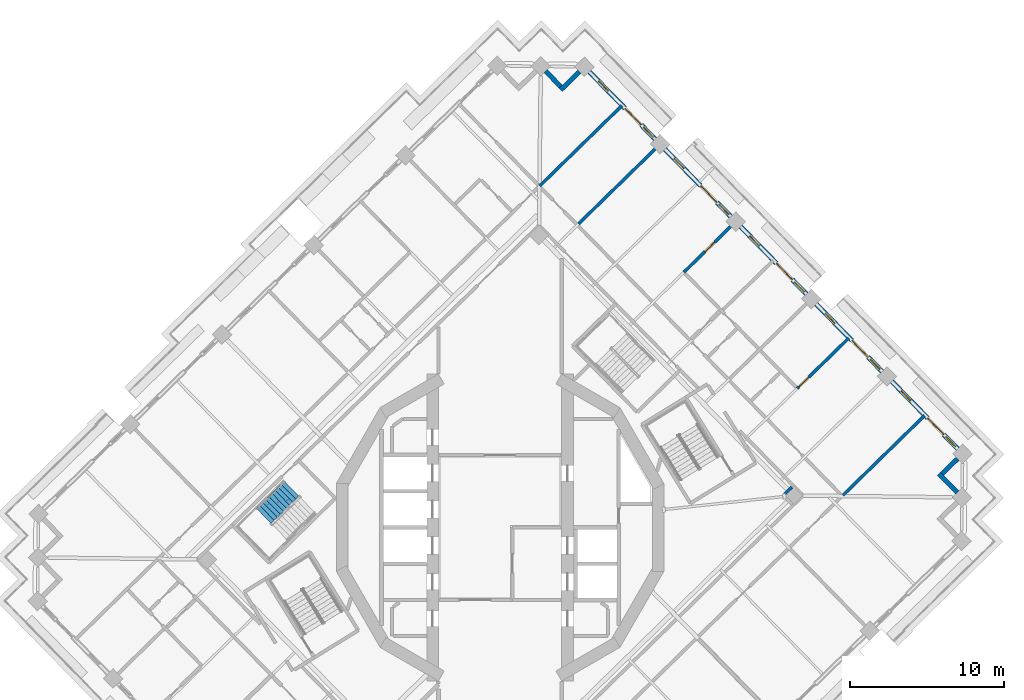
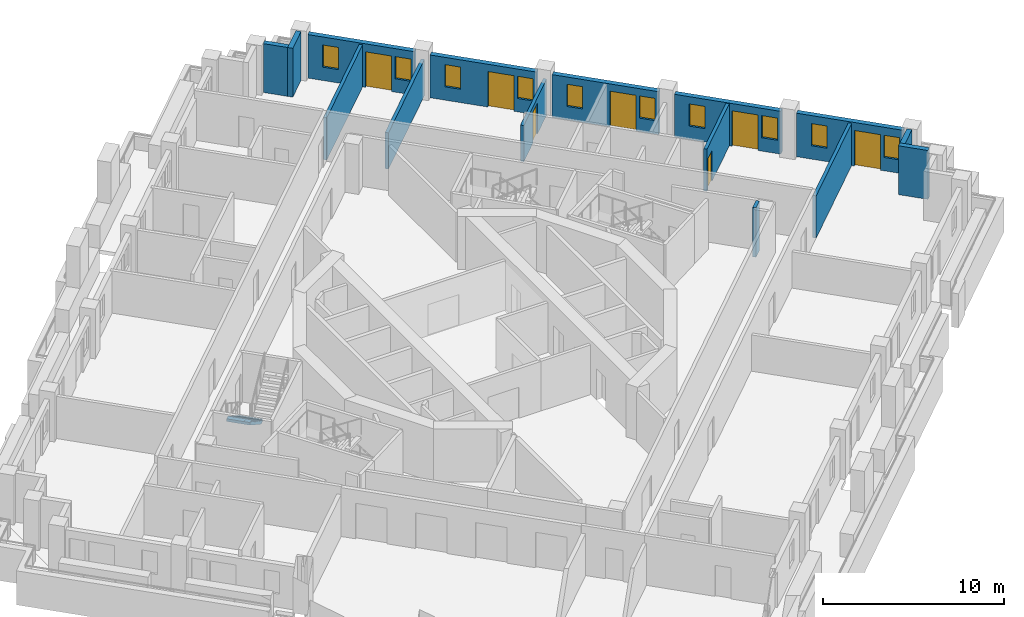
# One storey, part 10 of 17: 15 walls, 10 windows, 7 doors, 1 stair flight, 17 openings, 1 element without a shape of its own.
"""IFC4 building model written with IfcOpenShell, lengths in metres."""

import ifcopenshell
import ifcopenshell.guid

model = None  # the IFC model being written
_history = None  # IfcOwnerHistory: only IFC2X3 demands one
_inside = {}  # id of a spatial element -> (the spatial element, [elements in it])
_under = {}  # id of a project, library or spatial element -> (it, [spatial elements below it])
_declared = {}  # id of a project -> (the project, [libraries it declares])
_typed = {}  # id of a type object -> (the type object, [elements of that type])
_made_of = {}  # id of a material, layer set ... -> (it, [elements and type objects made of it])


def new_model(schema):
    """Start an empty IFC model of exactly this schema.

    Asked for "IFC4X3", IfcOpenShell would pick the latest addendum, in which some entities
    have other attributes; the version numbers below select the first issue.
    IFC2X3 requires an IfcOwnerHistory on every rooted entity: one is made here for all.
    """
    global model, _history
    if schema == "IFC4X3":
        model = ifcopenshell.file(schema_version=(4, 3, 0, 0))
    else:
        model = ifcopenshell.file(schema=schema)
    _inside.clear()
    _under.clear()
    _declared.clear()
    _typed.clear()
    _made_of.clear()
    _history = None
    if model.schema == "IFC2X3":
        org = make("IfcOrganization", Name="unknown")
        user = make(
            "IfcPersonAndOrganization",
            ThePerson=make("IfcPerson", FamilyName="unknown"),
            TheOrganization=org,
        )
        app = make(
            "IfcApplication",
            ApplicationDeveloper=org,
            Version="unknown",
            ApplicationFullName="unknown",
            ApplicationIdentifier="unknown",
        )
        _history = make(
            "IfcOwnerHistory",
            OwningUser=user,
            OwningApplication=app,
            ChangeAction="ADDED",
            CreationDate=0,
        )
    return model


def make(cls, **values):
    """One entity of the class cls with the attributes given. An attribute that is None is left unset."""
    return model.create_entity(
        cls, **{name: value for name, value in values.items() if value is not None}
    )


def rooted(cls, **values):
    """An entity with a GlobalId (a new one), such as an element, a storey or a relation."""
    return make(cls, GlobalId=ifcopenshell.guid.new(), OwnerHistory=_history, **values)


def si_unit(unit_type, name, prefix=None):
    """IfcSIUnit, for example si_unit("LENGTHUNIT", "METRE", prefix="MILLI")."""
    return make("IfcSIUnit", UnitType=unit_type, Prefix=prefix, Name=name)


def assignment(units):
    """IfcUnitAssignment: the units of a project."""
    return None if units is None else make("IfcUnitAssignment", Units=units)


def point(xyz):
    """IfcCartesianPoint."""
    return None if xyz is None else make("IfcCartesianPoint", Coordinates=xyz)


def direction(xyz):
    """IfcDirection."""
    return None if xyz is None else make("IfcDirection", DirectionRatios=xyz)


def frame(location, z_axis=None, x_axis=None):
    """IfcAxis2Placement3D, a coordinate frame: its origin and axes. An axis left out is left unset."""
    return make(
        "IfcAxis2Placement3D",
        Location=point(location),
        Axis=direction(z_axis),
        RefDirection=direction(x_axis),
    )


def frame_2d(location, x_axis=None):
    """IfcAxis2Placement2D, a coordinate frame in the plane: its origin and x axis."""
    return make(
        "IfcAxis2Placement2D", Location=point(location), RefDirection=direction(x_axis)
    )


def origin():
    """The frame at (0, 0, 0) with its axes left unset."""
    return frame((0.0, 0.0, 0.0))


def place(relative_to, where):
    """IfcLocalPlacement: puts the frame where relative to a parent placement (None: the world)."""
    return make(
        "IfcLocalPlacement", PlacementRelTo=relative_to, RelativePlacement=where
    )


def context(
    kind, dimensions, precision=None, world=None, true_north=None, identifier=None
):
    """IfcGeometricRepresentationContext, for example the 3D "Model" context."""
    return make(
        "IfcGeometricRepresentationContext",
        ContextIdentifier=identifier,
        ContextType=kind,
        CoordinateSpaceDimension=dimensions,
        Precision=precision,
        WorldCoordinateSystem=world,
        TrueNorth=true_north,
    )


def subcontext(parent, identifier, kind, view, scale=None):
    """IfcGeometricRepresentationSubContext, for example "Body" below "Model"."""
    return make(
        "IfcGeometricRepresentationSubContext",
        ContextIdentifier=identifier,
        ContextType=kind,
        ParentContext=parent,
        TargetScale=scale,
        TargetView=view,
    )


def project(units=None, contexts=None):
    """IfcProject with its units and contexts."""
    return rooted(
        "IfcProject",
        Name="project",
        RepresentationContexts=contexts,
        UnitsInContext=assignment(units),
    )


def spatial(cls, under=None, at=None, **own):
    """A site, building, storey or space (cls), placed at a placement, below another one or the project."""
    s = rooted(cls, ObjectPlacement=at, **own)
    if under is not None:
        _under.setdefault(under.id(), (under, []))[1].append(s)
    return s


def polyline(points):
    """IfcPolyline through the points."""
    return make("IfcPolyline", Points=[point(p) for p in points])


def profile(cls, at=None, kind="AREA", **sizes):
    """A parametric profile (cls). Its sizes go by their IFC names, for example OverallWidth=200.0."""
    return make(cls, ProfileType=kind, Position=at, **sizes)


def rectangle(**sizes):
    """IfcRectangleProfileDef."""
    return profile("IfcRectangleProfileDef", **sizes)


def outline(outer, holes=None, kind="AREA"):
    """IfcArbitraryClosedProfileDef: a profile drawn as a closed curve; with holes, ...WithVoids."""
    if holes is None:
        return make("IfcArbitraryClosedProfileDef", ProfileType=kind, OuterCurve=outer)
    return make(
        "IfcArbitraryProfileDefWithVoids",
        ProfileType=kind,
        OuterCurve=outer,
        InnerCurves=holes,
    )


def extrude(swept, where, along, depth):
    """IfcExtrudedAreaSolid: the profile swept, set in the frame where, extruded along a direction by depth."""
    return make(
        "IfcExtrudedAreaSolid",
        SweptArea=swept,
        Position=where,
        ExtrudedDirection=direction(along),
        Depth=depth,
    )


def shape(context_of_items, identifier, shape_type, items):
    """IfcShapeRepresentation: the items that make up one representation, for example the "Body"."""
    return make(
        "IfcShapeRepresentation",
        ContextOfItems=context_of_items,
        RepresentationIdentifier=identifier,
        RepresentationType=shape_type,
        Items=items,
    )


def material(Name=None, Category=None):
    """IfcMaterial."""
    return make("IfcMaterial", Name=Name, Category=Category)


def layer(
    of_material, thickness, ventilated=None, Name=None, Category=None, Priority=None
):
    """IfcMaterialLayer: one layer of a wall or slab, of a material (None: an air gap)."""
    return make(
        "IfcMaterialLayer",
        Material=of_material,
        LayerThickness=thickness,
        IsVentilated=ventilated,
        Name=Name,
        Category=Category,
        Priority=Priority,
    )


def layer_set(layers, Name=None):
    """IfcMaterialLayerSet."""
    return make("IfcMaterialLayerSet", MaterialLayers=layers, LayerSetName=Name)


def made_of(thing, what):
    """Note that an element or type object is made of a material, layer set ...; save() writes the relation."""
    if what is not None:
        _made_of.setdefault(what.id(), (what, []))[1].append(thing)
    return thing


def type_object(cls, material=None, **own):
    """A type object (cls), such as IfcWallType, which elements share."""
    return made_of(rooted(cls, **own), material)


def element(
    cls,
    number,
    at=None,
    inside=None,
    cuts=None,
    type_object=None,
    material=None,
    context=None,
    identifier="Body",
    shape_type=None,
    held_by="IfcProductDefinitionShape",
    body=None,
    shapes=None,
    **own,
):
    """One element of the class cls, such as IfcWall. Its Tag is "e" and its number.

    at: its placement. inside: the storey or other place that contains it. cuts: it is an
    opening in that element (IfcRelVoidsElement). A single representation is given by context,
    identifier, shape_type and body (its items); several are given by shapes. held_by: the class
    of the entity that holds the representations. save() writes the other relations.
    """
    e = rooted(cls, Tag="e%d" % number, ObjectPlacement=at, **own)
    if body is not None:
        shapes = [shape(context, identifier, shape_type, body)]
    if shapes is not None:
        e.Representation = make(held_by, Representations=shapes)
    if inside is not None:
        _inside.setdefault(inside.id(), (inside, []))[1].append(e)
    if cuts is not None:
        rooted(
            "IfcRelVoidsElement", RelatingBuildingElement=cuts, RelatedOpeningElement=e
        )
    if type_object is not None:
        _typed.setdefault(type_object.id(), (type_object, []))[1].append(e)
    return made_of(e, material)


def fill(opening, filler):
    """IfcRelFillsElement: the door or window that sits in an opening."""
    return rooted(
        "IfcRelFillsElement",
        RelatingOpeningElement=opening,
        RelatedBuildingElement=filler,
    )


def aggregate(whole, parts):
    """IfcRelAggregates: a whole, such as a stair, and the parts it consists of."""
    return rooted("IfcRelAggregates", RelatingObject=whole, RelatedObjects=parts)


def save(model, path):
    """Write the relations noted so far, then the file.

    IfcRelAggregates (storeys below a building ...), IfcRelContainedInSpatialStructure (elements
    in a storey), IfcRelDefinesByType, IfcRelAssociatesMaterial and IfcRelDeclares: one each for
    every whole, place, type object, material and project.
    """
    for whole, parts in _under.values():
        aggregate(whole, parts)
    for where, things in _inside.values():
        rooted(
            "IfcRelContainedInSpatialStructure",
            RelatedElements=things,
            RelatingStructure=where,
        )
    for kind, things in _typed.values():
        rooted("IfcRelDefinesByType", RelatedObjects=things, RelatingType=kind)
    for what, things in _made_of.values():
        rooted("IfcRelAssociatesMaterial", RelatedObjects=things, RelatingMaterial=what)
    for by, libraries in _declared.values():
        rooted("IfcRelDeclares", RelatingContext=by, RelatedDefinitions=libraries)
    model.write(path)


model = new_model("IFC4")

# Units and contexts
model_context = context("Model", 3, precision=1e-05, world=origin(), true_north=direction((0.0, 1.0)))
body_context = subcontext(model_context, "Body", "Model", "MODEL_VIEW")
ifc_project = project(units=[si_unit("LENGTHUNIT", "METRE"), si_unit("AREAUNIT", "SQUARE_METRE"), si_unit("VOLUMEUNIT", "CUBIC_METRE"), si_unit("PLANEANGLEUNIT", "RADIAN"), si_unit("MASSUNIT", "GRAM", prefix="KILO")], contexts=[model_context])

# Site, building, storey
site_placement = place(None, origin())
site = spatial("IfcSite", under=ifc_project, at=site_placement, CompositionType="ELEMENT")
building_placement = place(site_placement, origin())
building = spatial("IfcBuilding", under=site, at=building_placement, Name="Cantera Rosa Tower", CompositionType="ELEMENT")
storey_placement = place(building_placement, frame((0.0, 0.0, 237.800048828125)))
storey = spatial("IfcBuildingStorey", under=building, at=storey_placement, Name="L52", CompositionType="ELEMENT", Elevation=237.800048828125)

# Walls
ifc_material_1 = material(Name="Hollow clay masonry with cantera stone cladding", Category="masonry")
ifc_layer_1 = layer(ifc_material_1, 0.300048828125)
ifc_layer_set_1 = layer_set([ifc_layer_1], Name="EW-LOGGIA 300")
wall_type_1 = type_object("IfcWallType", Name="EW-LOGGIA 300", PredefinedType="SOLIDWALL", material=ifc_layer_set_1)
wall_1_placement = place(storey_placement, frame((5.15283203125, 29.56982421875, 0.0), z_axis=(0.0, 0.0, 1.0), x_axis=(-0.715316077832, -0.69880105094, 0.0)))
element("IfcWall", 1, at=wall_1_placement, inside=storey, type_object=wall_type_1, Name="EN-L52-W05a", PredefinedType="SOLIDWALL", context=body_context, shape_type="SweptSolid", body=[
    extrude(rectangle(XDim=1.699951171875, YDim=0.300048828125, at=frame_2d((0.85009765625, 0.0))), origin(), (0.0, 0.0, 1.0), 3.300048828125),
])
wall_2_placement = place(storey_placement, frame((3.939208984375, 28.593994140625, 0.0), z_axis=(0.0, 0.0, 1.0), x_axis=(-0.698861982187, 0.715256548278, 0.0)))
element("IfcWall", 2, at=wall_2_placement, inside=storey, type_object=wall_type_1, Name="EN-L52-W05b", PredefinedType="SOLIDWALL", context=body_context, shape_type="SweptSolid", body=[
    extrude(rectangle(XDim=1.39990234375, YDim=0.300048828125, at=frame_2d((0.699951171875, 0.0))), origin(), (0.0, 0.0, 1.0), 3.300048828125),
])
wall_3_placement = place(storey_placement, frame((29.65625, 2.271484375, 0.0), z_axis=(0.0, 0.0, 1.0), x_axis=(-0.698872839675, 0.715245939495, 0.0)))
element("IfcWall", 3, at=wall_3_placement, inside=storey, type_object=wall_type_1, Name="EN-L52-W27a", PredefinedType="SOLIDWALL", context=body_context, shape_type="SweptSolid", body=[
    extrude(rectangle(XDim=1.699951171875, YDim=0.300048828125, at=frame_2d((0.85009765625, 0.0))), origin(), (0.0, 0.0, 1.0), 3.300048828125),
])
wall_4_placement = place(storey_placement, frame((28.680419921875, 3.48486328125, 0.0), z_axis=(0.0, 0.0, 1.0), x_axis=(0.71516937164, 0.698951192766, 0.0)))
element("IfcWall", 4, at=wall_4_placement, inside=storey, type_object=wall_type_1, Name="EN-L52-W27b", PredefinedType="SOLIDWALL", context=body_context, shape_type="SweptSolid", body=[
    extrude(rectangle(XDim=1.39990234375, YDim=0.300048828125, at=frame_2d((0.699951171875, 0.0))), origin(), (0.0, 0.0, 1.0), 3.300048828125),
])

# Wall, openings, windows, door
ifc_material_2 = material(Name="Hollow clay masonry with cantera stone cladding", Category="masonry")
ifc_layer_2 = layer(ifc_material_2, 0.300048828125)
ifc_layer_set_2 = layer_set([ifc_layer_2], Name="EW-LOGGIA 300 H2890")
wall_type_2 = type_object("IfcWallType", Name="EW-LOGGIA 300 H2890", PredefinedType="SOLIDWALL", material=ifc_layer_set_2)
wall_5_placement = place(storey_placement, frame((24.783203125, 10.120849609375, 0.0), z_axis=(0.0, 0.0, 1.0), x_axis=(-0.698800768177, 0.715316354067, 0.0)))
wall_5 = element("IfcWall", 5, at=wall_5_placement, inside=storey, type_object=wall_type_2, Name="EN-L52-W01", PredefinedType="SOLIDWALL", context=body_context, shape_type="SweptSolid", body=[
    extrude(rectangle(XDim=6.119873046875, YDim=0.300048828125, at=frame_2d((3.06005859375, 0.0))), origin(), (0.0, 0.0, 1.0), 2.889892578125),
])
opening_1_placement = place(wall_5_placement, frame((0.199951171875, 0.0, 0.89990234375)))
opening_1 = element("IfcOpeningElement", 6, at=opening_1_placement, cuts=wall_5, Name="Opening L52-W01", PredefinedType="OPENING", context=body_context, shape_type="SweptSolid", body=[
    extrude(rectangle(XDim=0.89990234375, YDim=1.5, at=frame_2d((0.449951171875, 0.75))), frame((0.0, 0.159912109375, 0.0), z_axis=(0.0, -1.0, 0.0), x_axis=(1.0, 0.0, 0.0)), (0.0, 0.0, 1.0), 0.320068359375),
])
opening_2_placement = place(wall_5_placement, frame((1.300048828125, 0.0, 0.0)))
opening_2 = element("IfcOpeningElement", 7, at=opening_2_placement, cuts=wall_5, Name="Opening L52-TD02", PredefinedType="OPENING", context=body_context, shape_type="SweptSolid", body=[
    extrude(rectangle(XDim=1.5, YDim=2.39990234375, at=frame_2d((0.75, 1.199951171875))), frame((0.0, 0.159912109375, 0.0), z_axis=(0.0, -1.0, 0.0), x_axis=(1.0, 0.0, 0.0)), (0.0, 0.0, 1.0), 0.320068359375),
])
opening_3_placement = place(wall_5_placement, frame((4.364990234375, 0.0, 0.89990234375)))
opening_3 = element("IfcOpeningElement", 8, at=opening_3_placement, cuts=wall_5, Name="Opening L52-W03", PredefinedType="OPENING", context=body_context, shape_type="SweptSolid", body=[
    extrude(rectangle(XDim=0.89990234375, YDim=1.5, at=frame_2d((0.449951171875, 0.75))), frame((0.0, 0.159912109375, 0.0), z_axis=(0.0, -1.0, 0.0), x_axis=(1.0, 0.0, 0.0)), (0.0, 0.0, 1.0), 0.320068359375),
])
ifc_material_3 = material(Name="Aluminium frame with clear glass", Category="aluminium")
window_type = type_object("IfcWindowType", Name="Residential window 900x1500", PartitioningType="SINGLE_PANEL", PredefinedType="WINDOW", material=ifc_material_3)
window_1_placement = place(opening_1_placement, origin())
window_1 = element("IfcWindow", 9, at=window_1_placement, inside=storey, type_object=window_type, Name="WINDOW L52-W01", OverallHeight=1.5, OverallWidth=0.89990234375, PartitioningType="SINGLE_PANEL", PredefinedType="WINDOW", context=body_context, shape_type="SweptSolid", body=[
    extrude(rectangle(XDim=0.89990234375, YDim=1.5, at=frame_2d((0.449951171875, 0.75))), frame((0.0, 0.030029296875, 0.0), z_axis=(0.0, -1.0, 0.0), x_axis=(1.0, 0.0, 0.0)), (0.0, 0.0, 1.0), 0.06005859375),
])
fill(opening_1, window_1)
window_2_placement = place(opening_3_placement, origin())
window_2 = element("IfcWindow", 10, at=window_2_placement, inside=storey, type_object=window_type, Name="WINDOW L52-W03", OverallHeight=1.5, OverallWidth=0.89990234375, PartitioningType="SINGLE_PANEL", PredefinedType="WINDOW", context=body_context, shape_type="SweptSolid", body=[
    extrude(rectangle(XDim=0.89990234375, YDim=1.5, at=frame_2d((0.449951171875, 0.75))), frame((0.0, 0.030029296875, 0.0), z_axis=(0.0, -1.0, 0.0), x_axis=(1.0, 0.0, 0.0)), (0.0, 0.0, 1.0), 0.06005859375),
])
fill(opening_3, window_2)
ifc_material_4 = material(Name="Aluminium frame with clear glass", Category="aluminium")
door_type_1 = type_object("IfcDoorType", Name="TD-R 1500x2400", OperationType="NOTDEFINED", PredefinedType="DOOR", material=ifc_material_4)
door_1_placement = place(opening_2_placement, origin())
door_1 = element("IfcDoor", 11, at=door_1_placement, inside=storey, type_object=door_type_1, Name="LOGGIA DOOR L52-TD02", OperationType="SLIDING_TO_LEFT", OverallHeight=2.39990234375, OverallWidth=1.5, PredefinedType="DOOR", context=body_context, shape_type="SweptSolid", body=[
    extrude(rectangle(XDim=1.5, YDim=2.39990234375, at=frame_2d((0.75, 1.199951171875))), frame((0.0, 0.02490234375, 0.0), z_axis=(0.0, -1.0, 0.0), x_axis=(1.0, 0.0, 0.0)), (0.0, 0.0, 1.0), 0.050048828125),
])
fill(opening_2, door_1)

wall_6_placement = place(storey_placement, frame((19.87744140625, 15.142333984375, 0.0), z_axis=(0.0, 0.0, 1.0), x_axis=(-0.698841120217, 0.71527693147, 0.0)))
wall_6 = element("IfcWall", 12, at=wall_6_placement, inside=storey, type_object=wall_type_2, Name="EN-L52-W02", PredefinedType="SOLIDWALL", context=body_context, shape_type="SweptSolid", body=[
    extrude(rectangle(XDim=6.119873046875, YDim=0.300048828125, at=frame_2d((3.06005859375, 0.0))), origin(), (0.0, 0.0, 1.0), 2.889892578125),
])
opening_4_placement = place(wall_6_placement, frame((0.199951171875, 0.0, 0.89990234375)))
opening_4 = element("IfcOpeningElement", 13, at=opening_4_placement, cuts=wall_6, Name="Opening L52-W04", PredefinedType="OPENING", context=body_context, shape_type="SweptSolid", body=[
    extrude(rectangle(XDim=0.89990234375, YDim=1.5, at=frame_2d((0.449951171875, 0.75))), frame((0.0, 0.159912109375, 0.0), z_axis=(0.0, -1.0, 0.0), x_axis=(1.0, 0.0, 0.0)), (0.0, 0.0, 1.0), 0.320068359375),
])
opening_5_placement = place(wall_6_placement, frame((1.300048828125, 0.0, 0.0)))
opening_5 = element("IfcOpeningElement", 14, at=opening_5_placement, cuts=wall_6, Name="Opening L52-TD05", PredefinedType="OPENING", context=body_context, shape_type="SweptSolid", body=[
    extrude(rectangle(XDim=1.5, YDim=2.39990234375, at=frame_2d((0.75, 1.199951171875))), frame((0.0, 0.159912109375, 0.0), z_axis=(0.0, -1.0, 0.0), x_axis=(1.0, 0.0, 0.0)), (0.0, 0.0, 1.0), 0.320068359375),
])
opening_6_placement = place(wall_6_placement, frame((4.364990234375, 0.0, 0.89990234375)))
opening_6 = element("IfcOpeningElement", 15, at=opening_6_placement, cuts=wall_6, Name="Opening L52-W06", PredefinedType="OPENING", context=body_context, shape_type="SweptSolid", body=[
    extrude(rectangle(XDim=0.89990234375, YDim=1.5, at=frame_2d((0.449951171875, 0.75))), frame((0.0, 0.159912109375, 0.0), z_axis=(0.0, -1.0, 0.0), x_axis=(1.0, 0.0, 0.0)), (0.0, 0.0, 1.0), 0.320068359375),
])
window_3_placement = place(opening_4_placement, origin())
window_3 = element("IfcWindow", 16, at=window_3_placement, inside=storey, type_object=window_type, Name="WINDOW L52-W04", OverallHeight=1.5, OverallWidth=0.89990234375, PartitioningType="SINGLE_PANEL", PredefinedType="WINDOW", context=body_context, shape_type="SweptSolid", body=[
    extrude(rectangle(XDim=0.89990234375, YDim=1.5, at=frame_2d((0.449951171875, 0.75))), frame((0.0, 0.030029296875, 0.0), z_axis=(0.0, -1.0, 0.0), x_axis=(1.0, 0.0, 0.0)), (0.0, 0.0, 1.0), 0.06005859375),
])
fill(opening_4, window_3)
window_4_placement = place(opening_6_placement, origin())
window_4 = element("IfcWindow", 17, at=window_4_placement, inside=storey, type_object=window_type, Name="WINDOW L52-W06", OverallHeight=1.5, OverallWidth=0.89990234375, PartitioningType="SINGLE_PANEL", PredefinedType="WINDOW", context=body_context, shape_type="SweptSolid", body=[
    extrude(rectangle(XDim=0.89990234375, YDim=1.5, at=frame_2d((0.449951171875, 0.75))), frame((0.0, 0.030029296875, 0.0), z_axis=(0.0, -1.0, 0.0), x_axis=(1.0, 0.0, 0.0)), (0.0, 0.0, 1.0), 0.06005859375),
])
fill(opening_6, window_4)
door_2_placement = place(opening_5_placement, origin())
door_2 = element("IfcDoor", 18, at=door_2_placement, inside=storey, type_object=door_type_1, Name="LOGGIA DOOR L52-TD05", OperationType="SLIDING_TO_LEFT", OverallHeight=2.39990234375, OverallWidth=1.5, PredefinedType="DOOR", context=body_context, shape_type="SweptSolid", body=[
    extrude(rectangle(XDim=1.5, YDim=2.39990234375, at=frame_2d((0.75, 1.199951171875))), frame((0.0, 0.02490234375, 0.0), z_axis=(0.0, -1.0, 0.0), x_axis=(1.0, 0.0, 0.0)), (0.0, 0.0, 1.0), 0.050048828125),
])
fill(opening_5, door_2)

wall_7_placement = place(storey_placement, frame((14.9716796875, 20.16357421875, 0.0), z_axis=(0.0, 0.0, 1.0), x_axis=(-0.698841120217, 0.71527693147, 0.0)))
wall_7 = element("IfcWall", 19, at=wall_7_placement, inside=storey, type_object=wall_type_2, Name="EN-L52-W03", PredefinedType="SOLIDWALL", context=body_context, shape_type="SweptSolid", body=[
    extrude(rectangle(XDim=6.119873046875, YDim=0.300048828125, at=frame_2d((3.06005859375, 0.0))), origin(), (0.0, 0.0, 1.0), 2.889892578125),
])
opening_7_placement = place(wall_7_placement, frame((0.199951171875, 0.0, 0.89990234375)))
opening_7 = element("IfcOpeningElement", 20, at=opening_7_placement, cuts=wall_7, Name="Opening L52-W07", PredefinedType="OPENING", context=body_context, shape_type="SweptSolid", body=[
    extrude(rectangle(XDim=0.89990234375, YDim=1.5, at=frame_2d((0.449951171875, 0.75))), frame((0.0, 0.159912109375, 0.0), z_axis=(0.0, -1.0, 0.0), x_axis=(1.0, 0.0, 0.0)), (0.0, 0.0, 1.0), 0.320068359375),
])
opening_8_placement = place(wall_7_placement, frame((1.300048828125, 0.0, 0.0)))
opening_8 = element("IfcOpeningElement", 21, at=opening_8_placement, cuts=wall_7, Name="Opening L52-TD08", PredefinedType="OPENING", context=body_context, shape_type="SweptSolid", body=[
    extrude(rectangle(XDim=1.5, YDim=2.39990234375, at=frame_2d((0.75, 1.199951171875))), frame((0.0, 0.159912109375, 0.0), z_axis=(0.0, -1.0, 0.0), x_axis=(1.0, 0.0, 0.0)), (0.0, 0.0, 1.0), 0.320068359375),
])
opening_9_placement = place(wall_7_placement, frame((4.364990234375, 0.0, 0.89990234375)))
opening_9 = element("IfcOpeningElement", 22, at=opening_9_placement, cuts=wall_7, Name="Opening L52-W09", PredefinedType="OPENING", context=body_context, shape_type="SweptSolid", body=[
    extrude(rectangle(XDim=0.89990234375, YDim=1.5, at=frame_2d((0.449951171875, 0.75))), frame((0.0, 0.159912109375, 0.0), z_axis=(0.0, -1.0, 0.0), x_axis=(1.0, 0.0, 0.0)), (0.0, 0.0, 1.0), 0.320068359375),
])
window_5_placement = place(opening_7_placement, origin())
window_5 = element("IfcWindow", 23, at=window_5_placement, inside=storey, type_object=window_type, Name="WINDOW L52-W07", OverallHeight=1.5, OverallWidth=0.89990234375, PartitioningType="SINGLE_PANEL", PredefinedType="WINDOW", context=body_context, shape_type="SweptSolid", body=[
    extrude(rectangle(XDim=0.89990234375, YDim=1.5, at=frame_2d((0.449951171875, 0.75))), frame((0.0, 0.030029296875, 0.0), z_axis=(0.0, -1.0, 0.0), x_axis=(1.0, 0.0, 0.0)), (0.0, 0.0, 1.0), 0.06005859375),
])
fill(opening_7, window_5)
window_6_placement = place(opening_9_placement, origin())
window_6 = element("IfcWindow", 24, at=window_6_placement, inside=storey, type_object=window_type, Name="WINDOW L52-W09", OverallHeight=1.5, OverallWidth=0.89990234375, PartitioningType="SINGLE_PANEL", PredefinedType="WINDOW", context=body_context, shape_type="SweptSolid", body=[
    extrude(rectangle(XDim=0.89990234375, YDim=1.5, at=frame_2d((0.449951171875, 0.75))), frame((0.0, 0.030029296875, 0.0), z_axis=(0.0, -1.0, 0.0), x_axis=(1.0, 0.0, 0.0)), (0.0, 0.0, 1.0), 0.06005859375),
])
fill(opening_9, window_6)
door_3_placement = place(opening_8_placement, origin())
door_3 = element("IfcDoor", 25, at=door_3_placement, inside=storey, type_object=door_type_1, Name="LOGGIA DOOR L52-TD08", OperationType="SLIDING_TO_LEFT", OverallHeight=2.39990234375, OverallWidth=1.5, PredefinedType="DOOR", context=body_context, shape_type="SweptSolid", body=[
    extrude(rectangle(XDim=1.5, YDim=2.39990234375, at=frame_2d((0.75, 1.199951171875))), frame((0.0, 0.02490234375, 0.0), z_axis=(0.0, -1.0, 0.0), x_axis=(1.0, 0.0, 0.0)), (0.0, 0.0, 1.0), 0.050048828125),
])
fill(opening_8, door_3)

ifc_material_5 = material(Name="Hollow clay masonry with cantera stone cladding", Category="masonry")
ifc_layer_3 = layer(ifc_material_5, 0.300048828125)
ifc_layer_set_3 = layer_set([ifc_layer_3], Name="EW-LOGGIA 300 H2940")
wall_type_3 = type_object("IfcWallType", Name="EW-LOGGIA 300 H2940", PredefinedType="SOLIDWALL", material=ifc_layer_set_3)
wall_8_placement = place(storey_placement, frame((10.06591796875, 25.184814453125, 0.0), z_axis=(0.0, 0.0, 1.0), x_axis=(-0.69882117953, 0.715296413412, 0.0)))
wall_8 = element("IfcWall", 26, at=wall_8_placement, inside=storey, type_object=wall_type_3, Name="EN-L52-W04", PredefinedType="SOLIDWALL", context=body_context, shape_type="SweptSolid", body=[
    extrude(rectangle(XDim=6.1201171875, YDim=0.300048828125, at=frame_2d((3.06005859375, 0.0))), origin(), (0.0, 0.0, 1.0), 2.93994140625),
])
opening_10_placement = place(wall_8_placement, frame((0.199951171875, 0.0, 0.89990234375)))
opening_10 = element("IfcOpeningElement", 27, at=opening_10_placement, cuts=wall_8, Name="Opening L52-W10", PredefinedType="OPENING", context=body_context, shape_type="SweptSolid", body=[
    extrude(rectangle(XDim=0.89990234375, YDim=1.5, at=frame_2d((0.449951171875, 0.75))), frame((0.0, 0.159912109375, 0.0), z_axis=(0.0, -1.0, 0.0), x_axis=(1.0, 0.0, 0.0)), (0.0, 0.0, 1.0), 0.320068359375),
])
opening_11_placement = place(wall_8_placement, frame((1.300048828125, 0.0, 0.0)))
opening_11 = element("IfcOpeningElement", 28, at=opening_11_placement, cuts=wall_8, Name="Opening L52-TD11", PredefinedType="OPENING", context=body_context, shape_type="SweptSolid", body=[
    extrude(rectangle(XDim=1.5, YDim=2.39990234375, at=frame_2d((0.75, 1.199951171875))), frame((0.0, 0.159912109375, 0.0), z_axis=(0.0, -1.0, 0.0), x_axis=(1.0, 0.0, 0.0)), (0.0, 0.0, 1.0), 0.320068359375),
])
opening_12_placement = place(wall_8_placement, frame((4.364990234375, 0.0, 0.89990234375)))
opening_12 = element("IfcOpeningElement", 29, at=opening_12_placement, cuts=wall_8, Name="Opening L52-W12", PredefinedType="OPENING", context=body_context, shape_type="SweptSolid", body=[
    extrude(rectangle(XDim=0.89990234375, YDim=1.5, at=frame_2d((0.449951171875, 0.75))), frame((0.0, 0.159912109375, 0.0), z_axis=(0.0, -1.0, 0.0), x_axis=(1.0, 0.0, 0.0)), (0.0, 0.0, 1.0), 0.320068359375),
])
window_7_placement = place(opening_10_placement, origin())
window_7 = element("IfcWindow", 30, at=window_7_placement, inside=storey, type_object=window_type, Name="WINDOW L52-W10", OverallHeight=1.5, OverallWidth=0.89990234375, PartitioningType="SINGLE_PANEL", PredefinedType="WINDOW", context=body_context, shape_type="SweptSolid", body=[
    extrude(rectangle(XDim=0.89990234375, YDim=1.5, at=frame_2d((0.449951171875, 0.75))), frame((0.0, 0.030029296875, 0.0), z_axis=(0.0, -1.0, 0.0), x_axis=(1.0, 0.0, 0.0)), (0.0, 0.0, 1.0), 0.06005859375),
])
fill(opening_10, window_7)
window_8_placement = place(opening_12_placement, origin())
window_8 = element("IfcWindow", 31, at=window_8_placement, inside=storey, type_object=window_type, Name="WINDOW L52-W12", OverallHeight=1.5, OverallWidth=0.89990234375, PartitioningType="SINGLE_PANEL", PredefinedType="WINDOW", context=body_context, shape_type="SweptSolid", body=[
    extrude(rectangle(XDim=0.89990234375, YDim=1.5, at=frame_2d((0.449951171875, 0.75))), frame((0.0, 0.030029296875, 0.0), z_axis=(0.0, -1.0, 0.0), x_axis=(1.0, 0.0, 0.0)), (0.0, 0.0, 1.0), 0.06005859375),
])
fill(opening_12, window_8)
door_4_placement = place(opening_11_placement, origin())
door_4 = element("IfcDoor", 32, at=door_4_placement, inside=storey, type_object=door_type_1, Name="LOGGIA DOOR L52-TD11", OperationType="SLIDING_TO_LEFT", OverallHeight=2.39990234375, OverallWidth=1.5, PredefinedType="DOOR", context=body_context, shape_type="SweptSolid", body=[
    extrude(rectangle(XDim=1.5, YDim=2.39990234375, at=frame_2d((0.75, 1.199951171875))), frame((0.0, 0.02490234375, 0.0), z_axis=(0.0, -1.0, 0.0), x_axis=(1.0, 0.0, 0.0)), (0.0, 0.0, 1.0), 0.050048828125),
])
fill(opening_11, door_4)

wall_9_placement = place(storey_placement, frame((29.689208984375, 5.099609375, 0.0), z_axis=(0.0, 0.0, 1.0), x_axis=(-0.69882117953, 0.715296413412, 0.0)))
wall_9 = element("IfcWall", 33, at=wall_9_placement, inside=storey, type_object=wall_type_3, Name="EN-L52-W28", PredefinedType="SOLIDWALL", context=body_context, shape_type="SweptSolid", body=[
    extrude(rectangle(XDim=6.1201171875, YDim=0.300048828125, at=frame_2d((3.06005859375, 0.0))), origin(), (0.0, 0.0, 1.0), 2.93994140625),
])
opening_13_placement = place(wall_9_placement, frame((0.199951171875, 0.0, 0.89990234375)))
opening_13 = element("IfcOpeningElement", 34, at=opening_13_placement, cuts=wall_9, Name="Opening L52-W52", PredefinedType="OPENING", context=body_context, shape_type="SweptSolid", body=[
    extrude(rectangle(XDim=0.89990234375, YDim=1.5, at=frame_2d((0.449951171875, 0.75))), frame((0.0, 0.159912109375, 0.0), z_axis=(0.0, -1.0, 0.0), x_axis=(1.0, 0.0, 0.0)), (0.0, 0.0, 1.0), 0.320068359375),
])
opening_14_placement = place(wall_9_placement, frame((1.300048828125, 0.0, 0.0)))
opening_14 = element("IfcOpeningElement", 35, at=opening_14_placement, cuts=wall_9, Name="Opening L52-TD53", PredefinedType="OPENING", context=body_context, shape_type="SweptSolid", body=[
    extrude(rectangle(XDim=1.5, YDim=2.39990234375, at=frame_2d((0.75, 1.199951171875))), frame((0.0, 0.159912109375, 0.0), z_axis=(0.0, -1.0, 0.0), x_axis=(1.0, 0.0, 0.0)), (0.0, 0.0, 1.0), 0.320068359375),
])
opening_15_placement = place(wall_9_placement, frame((4.364990234375, 0.0, 0.89990234375)))
opening_15 = element("IfcOpeningElement", 36, at=opening_15_placement, cuts=wall_9, Name="Opening L52-W54", PredefinedType="OPENING", context=body_context, shape_type="SweptSolid", body=[
    extrude(rectangle(XDim=0.89990234375, YDim=1.5, at=frame_2d((0.449951171875, 0.75))), frame((0.0, 0.159912109375, 0.0), z_axis=(0.0, -1.0, 0.0), x_axis=(1.0, 0.0, 0.0)), (0.0, 0.0, 1.0), 0.320068359375),
])
window_9_placement = place(opening_13_placement, origin())
window_9 = element("IfcWindow", 37, at=window_9_placement, inside=storey, type_object=window_type, Name="WINDOW L52-W52", OverallHeight=1.5, OverallWidth=0.89990234375, PartitioningType="SINGLE_PANEL", PredefinedType="WINDOW", context=body_context, shape_type="SweptSolid", body=[
    extrude(rectangle(XDim=0.89990234375, YDim=1.5, at=frame_2d((0.449951171875, 0.75))), frame((0.0, 0.030029296875, 0.0), z_axis=(0.0, -1.0, 0.0), x_axis=(1.0, 0.0, 0.0)), (0.0, 0.0, 1.0), 0.06005859375),
])
fill(opening_13, window_9)
window_10_placement = place(opening_15_placement, origin())
window_10 = element("IfcWindow", 38, at=window_10_placement, inside=storey, type_object=window_type, Name="WINDOW L52-W54", OverallHeight=1.5, OverallWidth=0.89990234375, PartitioningType="SINGLE_PANEL", PredefinedType="WINDOW", context=body_context, shape_type="SweptSolid", body=[
    extrude(rectangle(XDim=0.89990234375, YDim=1.5, at=frame_2d((0.449951171875, 0.75))), frame((0.0, 0.030029296875, 0.0), z_axis=(0.0, -1.0, 0.0), x_axis=(1.0, 0.0, 0.0)), (0.0, 0.0, 1.0), 0.06005859375),
])
fill(opening_15, window_10)
door_5_placement = place(opening_14_placement, origin())
door_5 = element("IfcDoor", 39, at=door_5_placement, inside=storey, type_object=door_type_1, Name="LOGGIA DOOR L52-TD53", OperationType="SLIDING_TO_LEFT", OverallHeight=2.39990234375, OverallWidth=1.5, PredefinedType="DOOR", context=body_context, shape_type="SweptSolid", body=[
    extrude(rectangle(XDim=1.5, YDim=2.39990234375, at=frame_2d((0.75, 1.199951171875))), frame((0.0, 0.02490234375, 0.0), z_axis=(0.0, -1.0, 0.0), x_axis=(1.0, 0.0, 0.0)), (0.0, 0.0, 1.0), 0.050048828125),
])
fill(opening_14, door_5)

# Wall, opening, door
ifc_material_6 = material(Name="Gypsum board partition")
ifc_layer_4 = layer(ifc_material_6, 0.199951171875)
ifc_layer_set_4 = layer_set([ifc_layer_4], Name="PARTITION 200 H2450")
wall_type_4 = type_object("IfcWallType", Name="PARTITION 200 H2450", PredefinedType="PARTITIONING", material=ifc_layer_set_4)
wall_10_placement = place(storey_placement, frame((11.92431640625, 16.55712890625, 0.0), z_axis=(0.0, 0.0, 1.0), x_axis=(0.715266781779, 0.698851508465, 0.0)))
wall_10 = element("IfcWall", 40, at=wall_10_placement, inside=storey, type_object=wall_type_4, Name="PARTITION L52-092", PredefinedType="PARTITIONING", context=body_context, shape_type="SweptSolid", body=[
    extrude(rectangle(XDim=4.670166015625, YDim=0.199951171875, at=frame_2d((2.3349609375, 0.0))), origin(), (0.0, 0.0, 1.0), 2.449951171875),
])
opening_16_placement = place(wall_10_placement, frame((1.89990234375, 0.0, 0.0)))
opening_16 = element("IfcOpeningElement", 41, at=opening_16_placement, cuts=wall_10, Name="Opening L52-029", PredefinedType="OPENING", context=body_context, shape_type="SweptSolid", body=[
    extrude(rectangle(XDim=0.89990234375, YDim=2.10009765625, at=frame_2d((0.449951171875, 1.050048828125))), frame((0.0, 0.10986328125, 0.0), z_axis=(0.0, -1.0, 0.0), x_axis=(1.0, 0.0, 0.0)), (0.0, 0.0, 1.0), 0.219970703125),
])
ifc_material_7 = material(Name="Timber door leaf", Category="wood")
door_type_2 = type_object("IfcDoorType", Name="ROOM DOOR 900x2100", OperationType="NOTDEFINED", PredefinedType="DOOR", material=ifc_material_7)
door_6_placement = place(opening_16_placement, origin())
door_6 = element("IfcDoor", 42, at=door_6_placement, inside=storey, type_object=door_type_2, Name="DOOR L52-029", OperationType="NOTDEFINED", OverallHeight=2.10009765625, OverallWidth=0.89990234375, PredefinedType="DOOR", context=body_context, shape_type="SweptSolid", body=[
    extrude(rectangle(XDim=0.89990234375, YDim=2.10009765625, at=frame_2d((0.449951171875, 1.050048828125))), frame((0.0, 0.02490234375, 0.0), z_axis=(0.0, -1.0, 0.0), x_axis=(1.0, 0.0, 0.0)), (0.0, 0.0, 1.0), 0.050048828125),
])
fill(opening_16, door_6)

ifc_material_8 = material(Name="Gypsum board partition")
ifc_layer_5 = layer(ifc_material_8, 0.199951171875)
ifc_layer_set_5 = layer_set([ifc_layer_5], Name="PARTITION 200 H2850")
wall_type_5 = type_object("IfcWallType", Name="PARTITION 200 H2850", PredefinedType="PARTITIONING", material=ifc_layer_set_5)
wall_11_placement = place(storey_placement, frame((22.623291015625, 12.288818359375, 0.0), z_axis=(0.0, 0.0, 1.0), x_axis=(-0.715241248144, -0.698877640903, 0.0)))
wall_11 = element("IfcWall", 43, at=wall_11_placement, inside=storey, type_object=wall_type_5, Name="PARTITION L52-113", PredefinedType="PARTITIONING", context=body_context, shape_type="SweptSolid", body=[
    extrude(rectangle(XDim=4.669921875, YDim=0.199951171875, at=frame_2d((2.3349609375, 0.0))), origin(), (0.0, 0.0, 1.0), 2.849853515625),
])
opening_17_placement = place(wall_11_placement, frame((3.6201171875, 0.0, 0.0)))
opening_17 = element("IfcOpeningElement", 44, at=opening_17_placement, cuts=wall_11, Name="Opening L52-024", PredefinedType="OPENING", context=body_context, shape_type="SweptSolid", body=[
    extrude(rectangle(XDim=0.89990234375, YDim=2.10009765625, at=frame_2d((0.449951171875, 1.050048828125))), frame((0.0, 0.10986328125, 0.0), z_axis=(0.0, -1.0, 0.0), x_axis=(1.0, 0.0, 0.0)), (0.0, 0.0, 1.0), 0.219970703125),
])
door_7_placement = place(opening_17_placement, origin())
door_7 = element("IfcDoor", 45, at=door_7_placement, inside=storey, type_object=door_type_2, Name="DOOR L52-024", OperationType="NOTDEFINED", OverallHeight=2.10009765625, OverallWidth=0.89990234375, PredefinedType="DOOR", context=body_context, shape_type="SweptSolid", body=[
    extrude(rectangle(XDim=0.89990234375, YDim=2.10009765625, at=frame_2d((0.449951171875, 1.050048828125))), frame((0.0, 0.02490234375, 0.0), z_axis=(0.0, -1.0, 0.0), x_axis=(1.0, 0.0, 0.0)), (0.0, 0.0, 1.0), 0.050048828125),
])
fill(opening_17, door_7)

# Walls
ifc_material_9 = material(Name="Gypsum board partition")
ifc_layer_6 = layer(ifc_material_9, 0.199951171875)
ifc_layer_set_6 = layer_set([ifc_layer_6], Name="PARTITION 200 H3350")
wall_type_6 = type_object("IfcWallType", Name="PARTITION 200 H3350", PredefinedType="PARTITIONING", material=ifc_layer_set_6)
wall_12_placement = place(storey_placement, frame((18.932861328125, 2.62939453125, 0.0), z_axis=(0.0, 0.0, 1.0), x_axis=(-0.715493021556, -0.698619879552, 0.0)))
element("IfcWall", 46, at=wall_12_placement, inside=storey, type_object=wall_type_6, Name="PARTITION L52-109", PredefinedType="PARTITIONING", context=body_context, shape_type="SweptSolid", body=[
    extrude(rectangle(XDim=0.679931640625, YDim=0.199951171875, at=frame_2d((0.33984375, 0.0))), origin(), (0.0, 0.0, 1.0), 3.349853515625),
])
ifc_material_10 = material(Name="Gypsum board partition")
ifc_layer_7 = layer(ifc_material_10, 0.199951171875)
ifc_layer_set_7 = layer_set([ifc_layer_7], Name="PARTY WALL 200 H2450")
wall_type_7 = type_object("IfcWallType", Name="PARTY WALL 200 H2450", PredefinedType="PARTITIONING", material=ifc_layer_set_7)
wall_13_placement = place(storey_placement, frame((5.08740234375, 19.691650390625, 0.0), z_axis=(0.0, 0.0, 1.0), x_axis=(0.715274508116, 0.698843600557, 0.0)))
element("IfcWall", 47, at=wall_13_placement, inside=storey, type_object=wall_type_7, Name="PARTY WALL L52-076", PredefinedType="PARTITIONING", context=body_context, shape_type="SweptSolid", body=[
    extrude(rectangle(XDim=7.369873046875, YDim=0.199951171875, at=frame_2d((3.68505859375, 0.0))), origin(), (0.0, 0.0, 1.0), 2.449951171875),
])
ifc_material_11 = material(Name="Gypsum board partition")
ifc_layer_8 = layer(ifc_material_11, 0.199951171875)
ifc_layer_set_8 = layer_set([ifc_layer_8], Name="PARTY WALL 200 H2850")
wall_type_8 = type_object("IfcWallType", Name="PARTY WALL 200 H2850", PredefinedType="PARTITIONING", material=ifc_layer_set_8)
wall_14_placement = place(storey_placement, frame((2.5703125, 22.153564453125, 0.0), z_axis=(0.0, 0.0, 1.0), x_axis=(0.715284364496, 0.698833512296, 0.0)))
element("IfcWall", 48, at=wall_14_placement, inside=storey, type_object=wall_type_8, Name="PARTY WALL L52-067", PredefinedType="PARTITIONING", context=body_context, shape_type="SweptSolid", body=[
    extrude(rectangle(XDim=7.449951171875, YDim=0.199951171875, at=frame_2d((3.72509765625, 0.0))), origin(), (0.0, 0.0, 1.0), 2.849853515625),
])
wall_15_placement = place(storey_placement, frame((27.5361328125, 7.26025390625, 0.0), z_axis=(0.0, 0.0, 1.0), x_axis=(-0.715285154374, -0.698832703823, 0.0)))
element("IfcWall", 49, at=wall_15_placement, inside=storey, type_object=wall_type_8, Name="PARTY WALL L52-114", PredefinedType="PARTITIONING", context=body_context, shape_type="SweptSolid", body=[
    extrude(rectangle(XDim=7.389892578125, YDim=0.199951171875, at=frame_2d((3.69482421875, 0.0))), origin(), (0.0, 0.0, 1.0), 2.849853515625),
])

# Stair, stair flight
ifc_material_12 = material(Name="Concrete C35/45", Category="concrete")
stair_type = type_object("IfcStairType", Name="EXIT STAIR 1350 DOGLEG", PredefinedType="HALF_TURN_STAIR", material=ifc_material_12)
stair_placement = place(storey_placement, origin())
stair = element("IfcStair", 50, at=stair_placement, inside=storey, type_object=stair_type, Name="L52 ST-43", PredefinedType="HALF_TURN_STAIR")
ifc_material_13 = material(Name="Concrete C35/45", Category="concrete")
stair_flight_type = type_object("IfcStairFlightType", Name="STAIR FLIGHT 1350 R20x180", PredefinedType="STRAIGHT", material=ifc_material_13)
stair_flight_placement = place(storey_placement, frame((-13.522705078125, 2.514892578125, 0.0), z_axis=(0.0, 0.0, 1.0), x_axis=(-0.715286295132, -0.698831536207, 0.0)))
stair_flight = element("IfcStairFlight", 51, at=stair_flight_placement, type_object=stair_flight_type, Name="ST-43 flight 1", NumberOfRisers=10, NumberOfTreads=9, PredefinedType="STRAIGHT", RiserHeight=0.18, TreadLength=0.28, context=body_context, shape_type="SweptSolid", body=[
    extrude(outline(polyline([(0.0, 0.0), (0.0, 0.179931640625), (0.280029296875, 0.179931640625), (0.280029296875, 0.360107421875), (0.56005859375, 0.360107421875), (0.56005859375, 0.5400390625), (0.840087890625, 0.5400390625), (0.840087890625, 0.719970703125), (1.1201171875, 0.719970703125), (1.1201171875, 0.89990234375), (1.39990234375, 0.89990234375), (1.39990234375, 1.080078125), (1.679931640625, 1.080078125), (1.679931640625, 1.260009765625), (1.9599609375, 1.260009765625), (1.9599609375, 1.43994140625), (2.239990234375, 1.43994140625), (2.239990234375, 1.6201171875), (2.52001953125, 1.6201171875), (2.52001953125, 1.800048828125), (2.52001953125, 1.44189453125), (0.277099609375, 0.0), (0.0, 0.0)])), frame((0.0, 0.675048828125, 0.0), z_axis=(0.0, -1.0, 0.0), x_axis=(1.0, 0.0, 0.0)), (0.0, 0.0, 1.0), 0.3359375),
    extrude(outline(polyline([(0.0, 0.0), (0.0, 0.179931640625), (0.280029296875, 0.179931640625), (0.280029296875, 0.360107421875), (0.56005859375, 0.360107421875), (0.56005859375, 0.5400390625), (0.840087890625, 0.5400390625), (0.840087890625, 0.719970703125), (1.1201171875, 0.719970703125), (1.1201171875, 0.89990234375), (1.39990234375, 0.89990234375), (1.39990234375, 1.080078125), (1.679931640625, 1.080078125), (1.679931640625, 1.260009765625), (1.9599609375, 1.260009765625), (1.9599609375, 1.43994140625), (2.239990234375, 1.43994140625), (2.239990234375, 1.6201171875), (2.52001953125, 1.6201171875), (2.52001953125, 1.800048828125), (2.52001953125, 1.44189453125), (0.277099609375, 0.0), (0.0, 0.0)])), frame((0.0, 0.337158203125, 0.0), z_axis=(0.0, -1.0, 0.0), x_axis=(1.0, 0.0, 0.0)), (0.0, 0.0, 1.0), 0.3359375),
    extrude(outline(polyline([(0.0, 0.0), (0.0, 0.179931640625), (0.280029296875, 0.179931640625), (0.280029296875, 0.360107421875), (0.56005859375, 0.360107421875), (0.56005859375, 0.5400390625), (0.840087890625, 0.5400390625), (0.840087890625, 0.719970703125), (1.1201171875, 0.719970703125), (1.1201171875, 0.89990234375), (1.39990234375, 0.89990234375), (1.39990234375, 1.080078125), (1.679931640625, 1.080078125), (1.679931640625, 1.260009765625), (1.9599609375, 1.260009765625), (1.9599609375, 1.43994140625), (2.239990234375, 1.43994140625), (2.239990234375, 1.6201171875), (2.52001953125, 1.6201171875), (2.52001953125, 1.800048828125), (2.52001953125, 1.44189453125), (0.277099609375, 0.0), (0.0, 0.0)])), frame((0.0, -0.000732421875, 0.0), z_axis=(0.0, -1.0, 0.0), x_axis=(1.0, 0.0, 0.0)), (0.0, 0.0, 1.0), 0.3359375),
    extrude(outline(polyline([(0.0, 0.0), (0.0, 0.179931640625), (0.280029296875, 0.179931640625), (0.280029296875, 0.360107421875), (0.56005859375, 0.360107421875), (0.56005859375, 0.5400390625), (0.840087890625, 0.5400390625), (0.840087890625, 0.719970703125), (1.1201171875, 0.719970703125), (1.1201171875, 0.89990234375), (1.39990234375, 0.89990234375), (1.39990234375, 1.080078125), (1.679931640625, 1.080078125), (1.679931640625, 1.260009765625), (1.9599609375, 1.260009765625), (1.9599609375, 1.43994140625), (2.239990234375, 1.43994140625), (2.239990234375, 1.6201171875), (2.52001953125, 1.6201171875), (2.52001953125, 1.800048828125), (2.52001953125, 1.44189453125), (0.277099609375, 0.0), (0.0, 0.0)])), frame((0.0, -0.338623046875, 0.0), z_axis=(0.0, -1.0, 0.0), x_axis=(1.0, 0.0, 0.0)), (0.0, 0.0, 1.0), 0.3359375),
])
aggregate(stair, [stair_flight])

save(model, "model.ifc")
